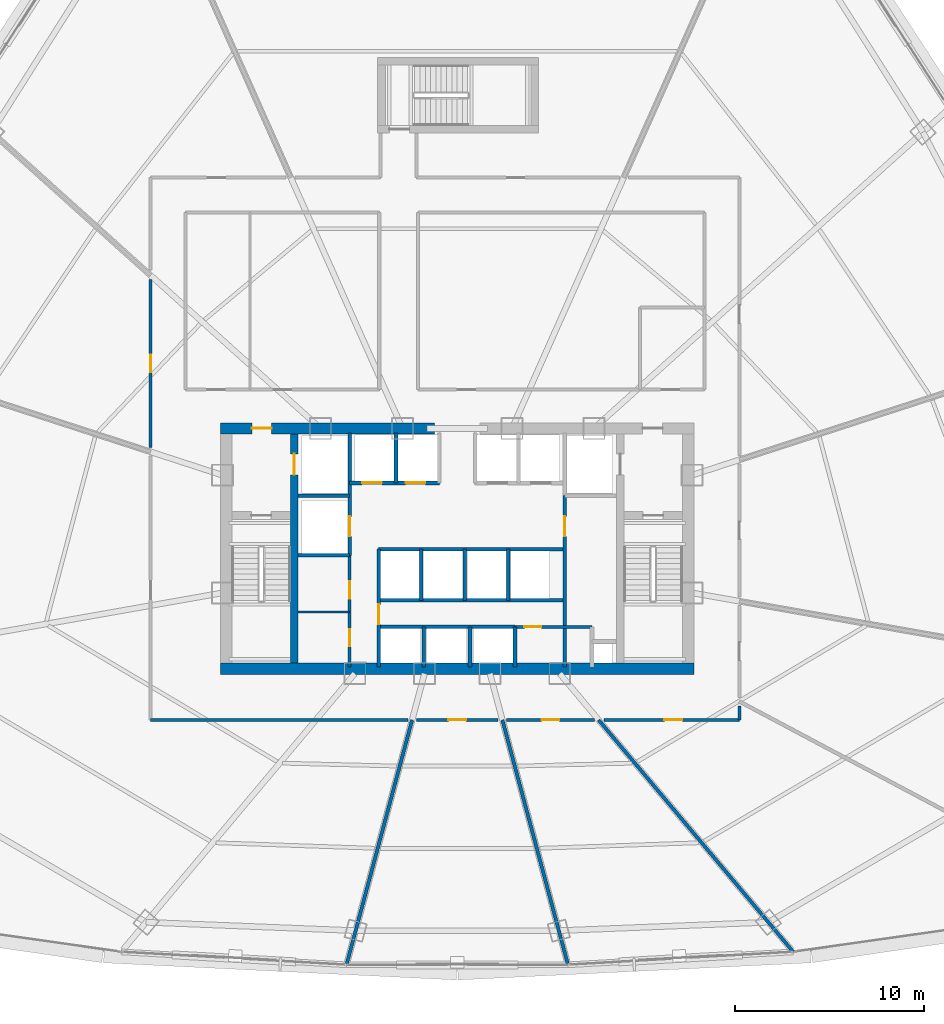
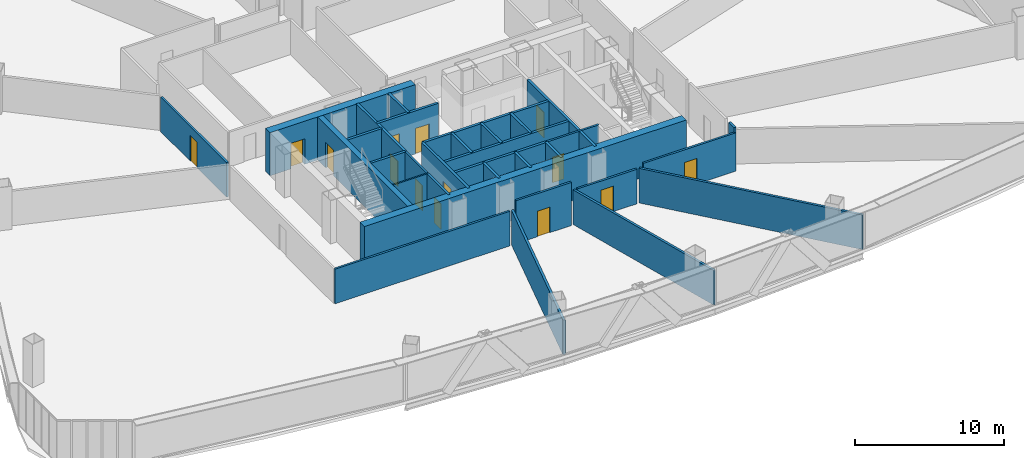
# One storey, part 32 of 39: 31 walls, 14 doors, 14 openings.
"""IFC4 building model written with IfcOpenShell, lengths in metres."""

from ifc_helpers import new_model, si_unit, direction, frame, frame_2d, origin, origin_with_axes, place, context, subcontext, project, spatial, rectangle, extrude, source, transform, mapped, material, layer, layer_set, type_object, element, fill, save


model = new_model("IFC4")

# Units and contexts
model_context = context("Model", 3, precision=1e-05, world=origin(), true_north=direction((0.0, 1.0)))
body_context = subcontext(model_context, "Body", "Model", "MODEL_VIEW")
ifc_project = project(units=[si_unit("LENGTHUNIT", "METRE"), si_unit("AREAUNIT", "SQUARE_METRE"), si_unit("VOLUMEUNIT", "CUBIC_METRE"), si_unit("PLANEANGLEUNIT", "RADIAN"), si_unit("MASSUNIT", "GRAM", prefix="KILO"), si_unit("THERMODYNAMICTEMPERATUREUNIT", "KELVIN"), si_unit("POWERUNIT", "WATT")], contexts=[model_context])

# Site, building, storey
site_placement = place(None, origin())
site = spatial("IfcSite", under=ifc_project, at=site_placement, CompositionType="ELEMENT")
building_placement = place(site_placement, origin())
building = spatial("IfcBuilding", under=site, at=building_placement, Name="Yunzhuo Pagoda Commons", CompositionType="ELEMENT")
storey_placement = place(building_placement, frame((0.0, 0.0, 100.179931640625)))
storey = spatial("IfcBuildingStorey", under=building, at=storey_placement, Name="L25", CompositionType="ELEMENT", Elevation=100.179931640625)

# Wall
ifc_material_1 = material(Name="Concrete C60", Category="concrete")
ifc_layer_1 = layer(ifc_material_1, 0.60009765625)
ifc_layer_set_1 = layer_set([ifc_layer_1], Name="Concrete C60")
wall_type_1 = type_object("IfcWallType", Name="W-C02 Mid Core Shear Wall 600", PredefinedType="SHEAR", material=ifc_layer_set_1)
wall_1_placement = place(storey_placement, frame((35.5, 27.5, 0.0), z_axis=(0.0, 0.0, 1.0), x_axis=(1.0, 0.0, 0.0)))
element("IfcWall", 1, at=wall_1_placement, inside=storey, type_object=wall_type_1, Name="L25 core shear wall S", PredefinedType="SHEAR", context=body_context, shape_type="SweptSolid", body=[
    extrude(rectangle(XDim=25.0, YDim=0.60009765625, at=frame_2d((12.5, 0.0))), origin(), (0.0, 0.0, 1.0), 3.5400390625),
])

# Wall, opening, door
wall_2_placement = place(storey_placement, frame((35.5, 40.199951171875, 0.0), z_axis=(0.0, 0.0, 1.0), x_axis=(1.0, 0.0, 0.0)))
wall_2 = element("IfcWall", 2, at=wall_2_placement, inside=storey, type_object=wall_type_1, Name="L25 core shear wall NW", PredefinedType="SHEAR", context=body_context, shape_type="SweptSolid", body=[
    extrude(rectangle(XDim=11.300048828125, YDim=0.60009765625, at=frame_2d((5.64990234375, 0.0))), origin(), (0.0, 0.0, 1.0), 3.5400390625),
])
opening_1_placement = place(wall_2_placement, frame((1.64990234375, 0.0, 0.0)))
opening_1 = element("IfcOpeningElement", 3, at=opening_1_placement, cuts=wall_2, Name="Opening D-02", PredefinedType="OPENING", context=body_context, shape_type="SweptSolid", body=[
    extrude(rectangle(XDim=1.050048828125, YDim=2.10009765625, at=frame_2d((0.52490234375, 1.050048828125))), frame((0.0, 0.31005859375, 0.0), z_axis=(0.0, -1.0, 0.0), x_axis=(1.0, 0.0, 0.0)), (0.0, 0.0, 1.0), 0.6201171875),
])
ifc_material_2 = material(Name="Galvanized fire-resisting metal leaf")
door_type_1 = type_object("IfcDoorType", Name="D-02 Firefighting Lobby & Refuge Fire Door 1050x2100", OperationType="NOTDEFINED", PredefinedType="DOOR", material=ifc_material_2)
shared_shape_1 = source(origin(), body_context, "Body", "SweptSolid", [
    extrude(rectangle(XDim=1.050048828125, YDim=2.10009765625, at=frame_2d((0.52490234375, 1.050048828125))), frame((0.0, 0.02490234375, 0.0), z_axis=(0.0, -1.0, 0.0), x_axis=(1.0, 0.0, 0.0)), (0.0, 0.0, 1.0), 0.050048828125),
])
door_1_placement = place(opening_1_placement, frame((1.050048828125, 0.0, 0.0), z_axis=(0.0, 0.0, 1.0), x_axis=(-1.0, 0.0, 0.0)))
door_1 = element("IfcDoor", 4, at=door_1_placement, inside=storey, type_object=door_type_1, Name="L25 Firefighting Lobby 1 fire door", OperationType="SINGLE_SWING_LEFT", OverallHeight=2.10009765625, OverallWidth=1.050048828125, PredefinedType="DOOR", context=body_context, shape_type="MappedRepresentation", body=[
    mapped(shared_shape_1, transform((0.0, 0.0, 0.0), scale=1.0)),
])
fill(opening_1, door_1)

# Wall, openings, doors
ifc_material_3 = material(Name="Gypsum plasterboard on acoustic stud")
ifc_layer_2 = layer(ifc_material_3, 0.159912109375)
ifc_layer_set_2 = layer_set([ifc_layer_2], Name="Gypsum plasterboard on acoustic stud")
wall_type_2 = type_object("IfcWallType", Name="W-COR1 Tower Rated Corridor Wall 160", PredefinedType="PARTITIONING", material=ifc_layer_set_2)
wall_3_placement = place(storey_placement, frame((42.320068359375, 27.60009765625, 0.0), z_axis=(0.0, 0.0, 1.0), x_axis=(0.0, 1.0, 0.0)))
wall_3 = element("IfcWall", 5, at=wall_3_placement, inside=storey, type_object=wall_type_2, Name="L25 interior wall IW-L25-CSWE", PredefinedType="PARTITIONING", context=body_context, shape_type="SweptSolid", body=[
    extrude(rectangle(XDim=5.89990234375, YDim=0.159912109375, at=frame_2d((2.949951171875, 0.0))), origin(), (0.0, 0.0, 1.0), 3.5400390625),
])
opening_2_placement = place(wall_3_placement, frame((1.10009765625, 0.0, 0.0)))
opening_2 = element("IfcOpeningElement", 6, at=opening_2_placement, cuts=wall_3, Name="Opening D-03", PredefinedType="OPENING", context=body_context, shape_type="SweptSolid", body=[
    extrude(rectangle(XDim=0.89990234375, YDim=2.10009765625, at=frame_2d((0.449951171875, 1.050048828125))), frame((0.0, 0.08984375, 0.0), z_axis=(0.0, -1.0, 0.0), x_axis=(1.0, 0.0, 0.0)), (0.0, 0.0, 1.0), 0.179931640625),
])
opening_3_placement = place(wall_3_placement, frame((3.60009765625, 0.0, 0.0)))
opening_3 = element("IfcOpeningElement", 7, at=opening_3_placement, cuts=wall_3, Name="Opening D-11", PredefinedType="OPENING", context=body_context, shape_type="SweptSolid", body=[
    extrude(rectangle(XDim=0.93994140625, YDim=2.10009765625, at=frame_2d((0.469970703125, 1.050048828125))), frame((0.0, 0.08984375, 0.0), z_axis=(0.0, -1.0, 0.0), x_axis=(1.0, 0.0, 0.0)), (0.0, 0.0, 1.0), 0.179931640625),
])
door_type_2 = type_object("IfcDoorType", Name="D-03 Core Service Fire Door 900x2100", OperationType="NOTDEFINED", PredefinedType="DOOR", material=ifc_material_2)
shared_shape_2 = source(origin(), body_context, "Body", "SweptSolid", [
    extrude(rectangle(XDim=0.89990234375, YDim=2.10009765625, at=frame_2d((0.449951171875, 1.050048828125))), frame((0.0, 0.02490234375, 0.0), z_axis=(0.0, -1.0, 0.0), x_axis=(1.0, 0.0, 0.0)), (0.0, 0.0, 1.0), 0.050048828125),
])
door_2_placement = place(opening_2_placement, origin_with_axes())
door_2 = element("IfcDoor", 8, at=door_2_placement, inside=storey, type_object=door_type_2, Name="L25 housekeeping door", OperationType="SINGLE_SWING_RIGHT", OverallHeight=2.10009765625, OverallWidth=0.89990234375, PredefinedType="DOOR", context=body_context, shape_type="MappedRepresentation", body=[
    mapped(shared_shape_2, transform((0.0, 0.0, 0.0), scale=1.0)),
])
fill(opening_2, door_2)
door_type_3 = type_object("IfcDoorType", Name="D-11 Accessible Washroom Fire Door 940x2100", OperationType="NOTDEFINED", PredefinedType="DOOR", material=ifc_material_2)
shared_shape_3 = source(origin(), body_context, "Body", "SweptSolid", [
    extrude(rectangle(XDim=0.93994140625, YDim=2.10009765625, at=frame_2d((0.469970703125, 1.050048828125))), frame((0.0, 0.02490234375, 0.0), z_axis=(0.0, -1.0, 0.0), x_axis=(1.0, 0.0, 0.0)), (0.0, 0.0, 1.0), 0.050048828125),
])
door_3_placement = place(opening_3_placement, origin_with_axes())
door_3 = element("IfcDoor", 9, at=door_3_placement, inside=storey, type_object=door_type_3, Name="L25 core WC door", OperationType="SINGLE_SWING_RIGHT", OverallHeight=2.10009765625, OverallWidth=0.93994140625, PredefinedType="DOOR", context=body_context, shape_type="MappedRepresentation", body=[
    mapped(shared_shape_3, transform((0.0, 0.0, 0.0), scale=1.0)),
])
fill(opening_3, door_3)

# Wall, opening, door
wall_4_placement = place(storey_placement, frame((51.050048828125, 29.719970703125, 0.0), z_axis=(0.0, 0.0, 1.0), x_axis=(1.0, 0.0, 0.0)))
wall_4 = element("IfcWall", 10, at=wall_4_placement, inside=storey, type_object=wall_type_2, Name="L25 interior wall IW-L25-CSES", PredefinedType="PARTITIONING", context=body_context, shape_type="SweptSolid", body=[
    extrude(rectangle(XDim=4.070068359375, YDim=0.159912109375, at=frame_2d((2.03515625, 0.0))), origin(), (0.0, 0.0, 1.0), 3.5400390625),
])
opening_4_placement = place(wall_4_placement, frame((0.5, 0.0, 0.0)))
opening_4 = element("IfcOpeningElement", 11, at=opening_4_placement, cuts=wall_4, Name="Opening D-03", PredefinedType="OPENING", context=body_context, shape_type="SweptSolid", body=[
    extrude(rectangle(XDim=0.89990234375, YDim=2.10009765625, at=frame_2d((0.449951171875, 1.050048828125))), frame((0.0, 0.08984375, 0.0), z_axis=(0.0, -1.0, 0.0), x_axis=(1.0, 0.0, 0.0)), (0.0, 0.0, 1.0), 0.179931640625),
])
door_4_placement = place(opening_4_placement, origin_with_axes())
door_4 = element("IfcDoor", 12, at=door_4_placement, inside=storey, type_object=door_type_2, Name="L25 IT closet door", OperationType="SINGLE_SWING_LEFT", OverallHeight=2.10009765625, OverallWidth=0.89990234375, PredefinedType="DOOR", context=body_context, shape_type="MappedRepresentation", body=[
    mapped(shared_shape_2, transform((0.0, 0.0, 0.0), scale=1.0)),
])
fill(opening_4, door_4)

wall_5_placement = place(storey_placement, frame((31.800048828125, 39.195068359375, 0.0), z_axis=(0.0, 0.0, 1.0), x_axis=(0.0, 1.0, 0.0)))
wall_5 = element("IfcWall", 13, at=wall_5_placement, inside=storey, type_object=wall_type_2, Name="L25 interior wall IW-L25-CWL02", PredefinedType="PARTITIONING", context=body_context, shape_type="SweptSolid", body=[
    extrude(rectangle(XDim=8.871826171875, YDim=0.159912109375, at=frame_2d((4.43603515625, 0.0))), origin(), (0.0, 0.0, 1.0), 2.840087890625),
])
opening_5_placement = place(wall_5_placement, frame((3.97021484375, 0.0, 0.0)))
opening_5 = element("IfcOpeningElement", 14, at=opening_5_placement, cuts=wall_5, Name="Opening D-04", PredefinedType="OPENING", context=body_context, shape_type="SweptSolid", body=[
    extrude(rectangle(XDim=0.919921875, YDim=2.10009765625, at=frame_2d((0.4599609375, 1.050048828125))), frame((0.0, 0.08984375, 0.0), z_axis=(0.0, -1.0, 0.0), x_axis=(1.0, 0.0, 0.0)), (0.0, 0.0, 1.0), 0.179931640625),
])
ifc_material_4 = material(Name="Powder-coated aluminium and timber acoustic leaf", Category="wood")
door_type_4 = type_object("IfcDoorType", Name="D-04 Bedroom & Study Interior Door 920x2100", OperationType="NOTDEFINED", PredefinedType="DOOR", material=ifc_material_4)
shared_shape_4 = source(origin(), body_context, "Body", "SweptSolid", [
    extrude(rectangle(XDim=0.919921875, YDim=2.10009765625, at=frame_2d((0.4599609375, 1.050048828125))), frame((0.0, 0.02490234375, 0.0), z_axis=(0.0, -1.0, 0.0), x_axis=(1.0, 0.0, 0.0)), (0.0, 0.0, 1.0), 0.050048828125),
])
door_5_placement = place(opening_5_placement, origin_with_axes())
door_5 = element("IfcDoor", 15, at=door_5_placement, inside=storey, type_object=door_type_4, Name="L25 seminar room 05 door", OperationType="SINGLE_SWING_RIGHT", OverallHeight=2.10009765625, OverallWidth=0.919921875, PredefinedType="DOOR", context=body_context, shape_type="MappedRepresentation", body=[
    mapped(shared_shape_4, transform((0.0, 0.0, 0.0), scale=1.0)),
])
fill(opening_5, door_5)

# Wall
wall_6_placement = place(storey_placement, frame((62.89990234375, 25.5283203125, 0.0), z_axis=(0.0, 0.0, 1.0), x_axis=(0.0, -1.0, 0.0)))
element("IfcWall", 16, at=wall_6_placement, inside=storey, type_object=wall_type_2, Name="L25 interior wall IW-L25-CWL13", PredefinedType="PARTITIONING", context=body_context, shape_type="SweptSolid", body=[
    extrude(rectangle(XDim=0.728271484375, YDim=0.159912109375, at=frame_2d((0.3642578125, 0.0))), origin(), (0.0, 0.0, 1.0), 3.5400390625),
])

# Wall, opening, door
wall_7_placement = place(storey_placement, frame((62.89990234375, 24.800048828125, 0.0), z_axis=(0.0, 0.0, 1.0), x_axis=(-1.0, 0.0, 0.0)))
wall_7 = element("IfcWall", 17, at=wall_7_placement, inside=storey, type_object=wall_type_2, Name="L25 interior wall IW-L25-CWL14", PredefinedType="PARTITIONING", context=body_context, shape_type="SweptSolid", body=[
    extrude(rectangle(XDim=7.144775390625, YDim=0.159912109375, at=frame_2d((3.572265625, 0.0))), origin(), (0.0, 0.0, 1.0), 3.14013671875),
])
opening_6_placement = place(wall_7_placement, frame((3.010986328125, 0.0, 0.0)))
opening_6 = element("IfcOpeningElement", 18, at=opening_6_placement, cuts=wall_7, Name="Opening D-06", PredefinedType="OPENING", context=body_context, shape_type="SweptSolid", body=[
    extrude(rectangle(XDim=0.949951171875, YDim=2.10009765625, at=frame_2d((0.47509765625, 1.050048828125))), frame((0.0, 0.08984375, 0.0), z_axis=(0.0, -1.0, 0.0), x_axis=(1.0, 0.0, 0.0)), (0.0, 0.0, 1.0), 0.179931640625),
])
door_type_5 = type_object("IfcDoorType", Name="D-06 Co-Living Suite Entrance Fire Door 950x2100", OperationType="NOTDEFINED", PredefinedType="DOOR", material=ifc_material_2)
shared_shape_5 = source(origin(), body_context, "Body", "SweptSolid", [
    extrude(rectangle(XDim=0.949951171875, YDim=2.10009765625, at=frame_2d((0.47509765625, 1.050048828125))), frame((0.0, 0.02490234375, 0.0), z_axis=(0.0, -1.0, 0.0), x_axis=(1.0, 0.0, 0.0)), (0.0, 0.0, 1.0), 0.050048828125),
])
door_6_placement = place(opening_6_placement, origin_with_axes())
door_6 = element("IfcDoor", 19, at=door_6_placement, inside=storey, type_object=door_type_5, Name="L25 unit 09 entrance door", OperationType="SINGLE_SWING_RIGHT", OverallHeight=2.10009765625, OverallWidth=0.949951171875, PredefinedType="DOOR", context=body_context, shape_type="MappedRepresentation", body=[
    mapped(shared_shape_5, transform((0.0, 0.0, 0.0), scale=1.0)),
])
fill(opening_6, door_6)

wall_8_placement = place(storey_placement, frame((55.248046875, 24.800048828125, 0.0), z_axis=(0.0, 0.0, 1.0), x_axis=(-1.0, 0.0, 0.0)))
wall_8 = element("IfcWall", 20, at=wall_8_placement, inside=storey, type_object=wall_type_2, Name="L25 interior wall IW-L25-CWL15", PredefinedType="PARTITIONING", context=body_context, shape_type="SweptSolid", body=[
    extrude(rectangle(XDim=4.635498046875, YDim=0.159912109375, at=frame_2d((2.31787109375, 0.0))), origin(), (0.0, 0.0, 1.0), 2.840087890625),
])
opening_7_placement = place(wall_8_placement, frame((1.8466796875, 0.0, 0.0)))
opening_7 = element("IfcOpeningElement", 21, at=opening_7_placement, cuts=wall_8, Name="Opening D-06", PredefinedType="OPENING", context=body_context, shape_type="SweptSolid", body=[
    extrude(rectangle(XDim=0.949951171875, YDim=2.10009765625, at=frame_2d((0.47509765625, 1.050048828125))), frame((0.0, 0.08984375, 0.0), z_axis=(0.0, -1.0, 0.0), x_axis=(1.0, 0.0, 0.0)), (0.0, 0.0, 1.0), 0.179931640625),
])
door_7_placement = place(opening_7_placement, origin_with_axes())
door_7 = element("IfcDoor", 22, at=door_7_placement, inside=storey, type_object=door_type_5, Name="L25 unit 08 entrance door", OperationType="SINGLE_SWING_LEFT", OverallHeight=2.10009765625, OverallWidth=0.949951171875, PredefinedType="DOOR", context=body_context, shape_type="MappedRepresentation", body=[
    mapped(shared_shape_5, transform((0.0, 0.0, 0.0), scale=1.0)),
])
fill(opening_7, door_7)

wall_9_placement = place(storey_placement, frame((50.164794921875, 24.800048828125, 0.0), z_axis=(0.0, 0.0, 1.0), x_axis=(-1.0, 0.0, 0.0)))
wall_9 = element("IfcWall", 23, at=wall_9_placement, inside=storey, type_object=wall_type_2, Name="L25 interior wall IW-L25-CWL16", PredefinedType="PARTITIONING", context=body_context, shape_type="SweptSolid", body=[
    extrude(rectangle(XDim=4.32958984375, YDim=0.159912109375, at=frame_2d((2.164794921875, 0.0))), origin(), (0.0, 0.0, 1.0), 3.5400390625),
])
opening_8_placement = place(wall_9_placement, frame((1.68994140625, 0.0, 0.0)))
opening_8 = element("IfcOpeningElement", 24, at=opening_8_placement, cuts=wall_9, Name="Opening D-06", PredefinedType="OPENING", context=body_context, shape_type="SweptSolid", body=[
    extrude(rectangle(XDim=0.949951171875, YDim=2.10009765625, at=frame_2d((0.47509765625, 1.050048828125))), frame((0.0, 0.08984375, 0.0), z_axis=(0.0, -1.0, 0.0), x_axis=(1.0, 0.0, 0.0)), (0.0, 0.0, 1.0), 0.179931640625),
])
door_8_placement = place(opening_8_placement, origin_with_axes())
door_8 = element("IfcDoor", 25, at=door_8_placement, inside=storey, type_object=door_type_5, Name="L25 unit 07 entrance door", OperationType="SINGLE_SWING_RIGHT", OverallHeight=2.10009765625, OverallWidth=0.949951171875, PredefinedType="DOOR", context=body_context, shape_type="MappedRepresentation", body=[
    mapped(shared_shape_5, transform((0.0, 0.0, 0.0), scale=1.0)),
])
fill(opening_8, door_8)

# Walls
wall_10_placement = place(storey_placement, frame((45.387451171875, 24.800048828125, 0.0), z_axis=(0.0, 0.0, 1.0), x_axis=(-1.0, 0.0, 0.0)))
element("IfcWall", 26, at=wall_10_placement, inside=storey, type_object=wall_type_2, Name="L25 interior wall IW-L25-CWL17", PredefinedType="PARTITIONING", context=body_context, shape_type="SweptSolid", body=[
    extrude(rectangle(XDim=13.58740234375, YDim=0.159912109375, at=frame_2d((6.793701171875, 0.0))), origin(), (0.0, 0.0, 1.0), 2.840087890625),
])
ifc_layer_3 = layer(ifc_material_3, 0.1201171875)
ifc_layer_set_3 = layer_set([ifc_layer_3], Name="Gypsum plasterboard on acoustic stud")
wall_type_3 = type_object("IfcWallType", Name="W-PRT1 Suite & Bathroom Partition 120", PredefinedType="PARTITIONING", material=ifc_layer_set_3)
wall_11_placement = place(storey_placement, frame((39.60009765625, 30.5, 0.0), z_axis=(0.0, 0.0, 1.0), x_axis=(1.0, 0.0, 0.0)))
element("IfcWall", 27, at=wall_11_placement, inside=storey, type_object=wall_type_3, Name="L25 interior wall IW-L25-CB1", PredefinedType="PARTITIONING", context=body_context, shape_type="SweptSolid", body=[
    extrude(rectangle(XDim=2.719970703125, YDim=0.1201171875, at=frame_2d((1.35986328125, 0.0))), origin(), (0.0, 0.0, 1.0), 3.5400390625),
])
ifc_layer_4 = layer(ifc_material_3, 0.179931640625)
ifc_layer_set_4 = layer_set([ifc_layer_4], Name="Gypsum plasterboard on acoustic stud")
wall_type_4 = type_object("IfcWallType", Name="W-PRT2 Acoustic Unit Demising Wall 180", PredefinedType="PARTITIONING", material=ifc_layer_set_4)
for number, where, z_axis, x_axis, name in (
    (28, (45.615234375, 24.800048828125, 0.0), (0.0, 0.0, 1.0), (-0.258814147169, -0.965927138673, 0.0), "L25 interior wall IW-L25-RAD06"),
    (29, (50.384765625, 24.800048828125, 0.0), (0.0, 0.0, 1.0), (0.258814147169, -0.965927138673, 0.0), "L25 interior wall IW-L25-RAD07"),
):
    element("IfcWall", number, at=place(storey_placement, frame(where, z_axis=z_axis, x_axis=x_axis)), inside=storey, type_object=wall_type_4, Name=name, PredefinedType="PARTITIONING", context=body_context, shape_type="SweptSolid", body=[
        extrude(rectangle(XDim=13.39208984375, YDim=0.179931640625, at=frame_2d((6.696044921875, 0.0))), origin(), (0.0, 0.0, 1.0), 2.840087890625),
    ])
wall_12_placement = place(storey_placement, frame((55.468017578125, 24.800048828125, 0.0), z_axis=(0.0, 0.0, 1.0), x_axis=(0.642790007557, -0.766042431061, 0.0)))
element("IfcWall", 30, at=wall_12_placement, inside=storey, type_object=wall_type_4, Name="L25 interior wall IW-L25-RAD08", PredefinedType="PARTITIONING", context=body_context, shape_type="SweptSolid", body=[
    extrude(rectangle(XDim=15.9951171875, YDim=0.179931640625, at=frame_2d((7.99755859375, 0.0))), origin(), (0.0, 0.0, 1.0), 2.840087890625),
])

# Wall, opening, door
ifc_layer_5 = layer(ifc_material_1, 0.39990234375)
ifc_layer_set_5 = layer_set([ifc_layer_5], Name="Concrete C60")
wall_type_5 = type_object("IfcWallType", Name="W-S01 Internal Core Shear Web 400", PredefinedType="SHEAR", material=ifc_layer_set_5)
wall_13_placement = place(storey_placement, frame((39.39990234375, 27.800048828125, 0.0), z_axis=(0.0, 0.0, 1.0), x_axis=(0.0, 1.0, 0.0)))
wall_13 = element("IfcWall", 31, at=wall_13_placement, inside=storey, type_object=wall_type_5, Name="L25 core shear wall WEBW", PredefinedType="SHEAR", context=body_context, shape_type="SweptSolid", body=[
    extrude(rectangle(XDim=12.099853515625, YDim=0.39990234375, at=frame_2d((6.0498046875, 0.0))), origin(), (0.0, 0.0, 1.0), 3.5400390625),
])
opening_9_placement = place(wall_13_placement, frame((9.949951171875, 0.0, 0.0)))
opening_9 = element("IfcOpeningElement", 32, at=opening_9_placement, cuts=wall_13, Name="Opening LD-01", PredefinedType="OPENING", context=body_context, shape_type="SweptSolid", body=[
    extrude(rectangle(XDim=1.10009765625, YDim=2.10009765625, at=frame_2d((0.550048828125, 1.050048828125))), frame((0.0, 0.2099609375, 0.0), z_axis=(0.0, -1.0, 0.0), x_axis=(1.0, 0.0, 0.0)), (0.0, 0.0, 1.0), 0.419921875),
])
door_type_6 = type_object("IfcDoorType", Name="LD-01 Firefighting Lift Landing Door 1100x2100", OperationType="DOUBLE_DOOR_SLIDING", PredefinedType="DOOR", material=ifc_material_2)
shared_shape_6 = source(origin(), body_context, "Body", "SweptSolid", [
    extrude(rectangle(XDim=1.10009765625, YDim=2.10009765625, at=frame_2d((0.550048828125, 1.050048828125))), frame((0.0, 0.02490234375, 0.0), z_axis=(0.0, -1.0, 0.0), x_axis=(1.0, 0.0, 0.0)), (0.0, 0.0, 1.0), 0.050048828125),
])
door_9_placement = place(opening_9_placement, frame((1.10009765625, 0.0, 0.0), z_axis=(0.0, 0.0, 1.0), x_axis=(-1.0, 0.0, 0.0)))
door_9 = element("IfcDoor", 33, at=door_9_placement, inside=storey, type_object=door_type_6, Name="L25 Firefighting lift FL-1 landing door", OperationType="DOUBLE_DOOR_SLIDING", OverallHeight=2.10009765625, OverallWidth=1.10009765625, PredefinedType="DOOR", context=body_context, shape_type="MappedRepresentation", body=[
    mapped(shared_shape_6, transform((0.0, 0.0, 0.0), scale=1.0)),
])
fill(opening_9, door_9)

ifc_material_5 = material(Name="Concrete C40", Category="concrete")
ifc_layer_6 = layer(ifc_material_5, 0.199951171875)
ifc_layer_set_6 = layer_set([ifc_layer_6], Name="Concrete C40")
wall_type_6 = type_object("IfcWallType", Name="W-SHF Shaft & Stair Enclosure Wall 200", PredefinedType="SOLIDWALL", material=ifc_layer_set_6)
wall_14_placement = place(storey_placement, frame((42.320068359375, 33.5, 0.0), z_axis=(0.0, 0.0, 1.0), x_axis=(0.0, 1.0, 0.0)))
wall_14 = element("IfcWall", 34, at=wall_14_placement, inside=storey, type_object=wall_type_6, Name="L25 interior wall IW-L25-FL1E", PredefinedType="SOLIDWALL", context=body_context, shape_type="SweptSolid", body=[
    extrude(rectangle(XDim=6.449951171875, YDim=0.199951171875, at=frame_2d((3.22509765625, 0.0))), origin(), (0.0, 0.0, 1.0), 3.5400390625),
])
opening_10_placement = place(wall_14_placement, frame((1.0, 0.0, 0.0)))
opening_10 = element("IfcOpeningElement", 35, at=opening_10_placement, cuts=wall_14, Name="Opening LD-02", PredefinedType="OPENING", context=body_context, shape_type="SweptSolid", body=[
    extrude(rectangle(XDim=1.050048828125, YDim=2.10009765625, at=frame_2d((0.52490234375, 1.050048828125))), frame((0.0, 0.10986328125, 0.0), z_axis=(0.0, -1.0, 0.0), x_axis=(1.0, 0.0, 0.0)), (0.0, 0.0, 1.0), 0.219970703125),
])
door_type_7 = type_object("IfcDoorType", Name="LD-02 Passenger Lift Landing Door 1050x2100", OperationType="DOUBLE_DOOR_SLIDING", PredefinedType="DOOR", material=ifc_material_2)
door_10_placement = place(opening_10_placement, origin_with_axes())
door_10 = element("IfcDoor", 36, at=door_10_placement, inside=storey, type_object=door_type_7, Name="L25 Service lift SL-1 landing door", OperationType="DOUBLE_DOOR_SLIDING", OverallHeight=2.10009765625, OverallWidth=1.050048828125, PredefinedType="DOOR", context=body_context, shape_type="MappedRepresentation", body=[
    mapped(shared_shape_1, transform((0.0, 0.0, 0.0), scale=1.0)),
])
fill(opening_10, door_10)

# Walls
for number, where, z_axis, x_axis, name in (
    (37, (39.60009765625, 36.64990234375, 0.0), (0.0, 0.0, 1.0), (1.0, 0.0, 0.0), "L25 interior wall IW-L25-FL1S"),
    (38, (39.60009765625, 33.5, 0.0), (0.0, 0.0, 1.0), (1.0, 0.0, 0.0), "L25 interior wall IW-L25-SL1S"),
):
    element("IfcWall", number, at=place(storey_placement, frame(where, z_axis=z_axis, x_axis=x_axis)), inside=storey, type_object=wall_type_6, Name=name, PredefinedType="SOLIDWALL", context=body_context, shape_type="SweptSolid", body=[
        extrude(rectangle(XDim=2.719970703125, YDim=0.199951171875, at=frame_2d((1.35986328125, 0.0))), origin(), (0.0, 0.0, 1.0), 3.5400390625),
    ])

# Wall, openings, doors
wall_15_placement = place(storey_placement, frame((42.320068359375, 37.320068359375, 0.0), z_axis=(0.0, 0.0, 1.0), x_axis=(1.0, 0.0, 0.0)))
wall_15 = element("IfcWall", 39, at=wall_15_placement, inside=storey, type_object=wall_type_6, Name="L25 interior wall IW-L25-LBNW", PredefinedType="SOLIDWALL", context=body_context, shape_type="SweptSolid", body=[
    extrude(rectangle(XDim=4.72998046875, YDim=0.199951171875, at=frame_2d((2.364990234375, 0.0))), origin(), (0.0, 0.0, 1.0), 3.5400390625),
])
opening_11_placement = place(wall_15_placement, frame((0.64990234375, 0.0, 0.0)))
opening_11 = element("IfcOpeningElement", 40, at=opening_11_placement, cuts=wall_15, Name="Opening LD-02", PredefinedType="OPENING", context=body_context, shape_type="SweptSolid", body=[
    extrude(rectangle(XDim=1.050048828125, YDim=2.10009765625, at=frame_2d((0.52490234375, 1.050048828125))), frame((0.0, 0.10986328125, 0.0), z_axis=(0.0, -1.0, 0.0), x_axis=(1.0, 0.0, 0.0)), (0.0, 0.0, 1.0), 0.219970703125),
])
opening_12_placement = place(wall_15_placement, frame((2.949951171875, 0.0, 0.0)))
opening_12 = element("IfcOpeningElement", 41, at=opening_12_placement, cuts=wall_15, Name="Opening LD-02", PredefinedType="OPENING", context=body_context, shape_type="SweptSolid", body=[
    extrude(rectangle(XDim=1.050048828125, YDim=2.10009765625, at=frame_2d((0.52490234375, 1.050048828125))), frame((0.0, 0.10986328125, 0.0), z_axis=(0.0, -1.0, 0.0), x_axis=(1.0, 0.0, 0.0)), (0.0, 0.0, 1.0), 0.219970703125),
])
door_11_placement = place(opening_11_placement, frame((1.050048828125, 0.0, 0.0), z_axis=(0.0, 0.0, 1.0), x_axis=(-1.0, 0.0, 0.0)))
door_11 = element("IfcDoor", 42, at=door_11_placement, inside=storey, type_object=door_type_7, Name="L25 Passenger lift PL-L1 landing door", OperationType="DOUBLE_DOOR_SLIDING", OverallHeight=2.10009765625, OverallWidth=1.050048828125, PredefinedType="DOOR", context=body_context, shape_type="MappedRepresentation", body=[
    mapped(shared_shape_1, transform((0.0, 0.0, 0.0), scale=1.0)),
])
fill(opening_11, door_11)
door_12_placement = place(opening_12_placement, frame((1.050048828125, 0.0, 0.0), z_axis=(0.0, 0.0, 1.0), x_axis=(-1.0, 0.0, 0.0)))
door_12 = element("IfcDoor", 43, at=door_12_placement, inside=storey, type_object=door_type_7, Name="L25 Passenger lift PL-L2 landing door", OperationType="DOUBLE_DOOR_SLIDING", OverallHeight=2.10009765625, OverallWidth=1.050048828125, PredefinedType="DOOR", context=body_context, shape_type="MappedRepresentation", body=[
    mapped(shared_shape_1, transform((0.0, 0.0, 0.0), scale=1.0)),
])
fill(opening_12, door_12)

# Walls
wall_16_placement = place(storey_placement, frame((44.77001953125, 37.320068359375, 0.0), z_axis=(0.0, 0.0, 1.0), x_axis=(0.0, 1.0, 0.0)))
element("IfcWall", 44, at=wall_16_placement, inside=storey, type_object=wall_type_6, Name="L25 interior wall IW-L25-PLL12", PredefinedType="SOLIDWALL", context=body_context, shape_type="SweptSolid", body=[
    extrude(rectangle(XDim=2.6298828125, YDim=0.199951171875, at=frame_2d((1.31494140625, 0.0))), origin(), (0.0, 0.0, 1.0), 3.5400390625),
])
wall_17_placement = place(storey_placement, frame((43.85009765625, 33.820068359375, 0.0), z_axis=(0.0, 0.0, 1.0), x_axis=(1.0, 0.0, 0.0)))
element("IfcWall", 45, at=wall_17_placement, inside=storey, type_object=wall_type_6, Name="L25 interior wall IW-L25-MLBS", PredefinedType="SOLIDWALL", context=body_context, shape_type="SweptSolid", body=[
    extrude(rectangle(XDim=9.829833984375, YDim=0.199951171875, at=frame_2d((4.9150390625, 0.0))), origin(), (0.0, 0.0, 1.0), 3.5400390625),
])

# Wall, opening, door
wall_18_placement = place(storey_placement, frame((43.85009765625, 27.60009765625, 0.0), z_axis=(0.0, 0.0, 1.0), x_axis=(0.0, 1.0, 0.0)))
wall_18 = element("IfcWall", 46, at=wall_18_placement, inside=storey, type_object=wall_type_6, Name="L25 interior wall IW-L25-PLMW", PredefinedType="SOLIDWALL", context=body_context, shape_type="SweptSolid", body=[
    extrude(rectangle(XDim=6.219970703125, YDim=0.199951171875, at=frame_2d((3.10986328125, 0.0))), origin(), (0.0, 0.0, 1.0), 3.5400390625),
])
opening_13_placement = place(wall_18_placement, frame((2.25, 0.0, 0.0)))
opening_13 = element("IfcOpeningElement", 47, at=opening_13_placement, cuts=wall_18, Name="Opening D-02", PredefinedType="OPENING", context=body_context, shape_type="SweptSolid", body=[
    extrude(rectangle(XDim=1.050048828125, YDim=2.10009765625, at=frame_2d((0.52490234375, 1.050048828125))), frame((0.0, 0.10986328125, 0.0), z_axis=(0.0, -1.0, 0.0), x_axis=(1.0, 0.0, 0.0)), (0.0, 0.0, 1.0), 0.219970703125),
])
door_13_placement = place(opening_13_placement, frame((1.050048828125, 0.0, 0.0), z_axis=(0.0, 0.0, 1.0), x_axis=(-1.0, 0.0, 0.0)))
door_13 = element("IfcDoor", 48, at=door_13_placement, inside=storey, type_object=door_type_1, Name="L25 High-bank hall west door", OperationType="SINGLE_SWING_LEFT", OverallHeight=2.10009765625, OverallWidth=1.050048828125, PredefinedType="DOOR", context=body_context, shape_type="MappedRepresentation", body=[
    mapped(shared_shape_1, transform((0.0, 0.0, 0.0), scale=1.0)),
])
fill(opening_13, door_13)

wall_19_placement = place(storey_placement, frame((53.679931640625, 27.60009765625, 0.0), z_axis=(0.0, 0.0, 1.0), x_axis=(0.0, 1.0, 0.0)))
wall_19 = element("IfcWall", 49, at=wall_19_placement, inside=storey, type_object=wall_type_6, Name="L25 interior wall IW-L25-PLME", PredefinedType="SOLIDWALL", context=body_context, shape_type="SweptSolid", body=[
    extrude(rectangle(XDim=9.0498046875, YDim=0.199951171875, at=frame_2d((4.52490234375, 0.0))), origin(), (0.0, 0.0, 1.0), 3.5400390625),
])
opening_14_placement = place(wall_19_placement, frame((6.89990234375, 0.0, 0.0)))
opening_14 = element("IfcOpeningElement", 50, at=opening_14_placement, cuts=wall_19, Name="Opening D-02", PredefinedType="OPENING", context=body_context, shape_type="SweptSolid", body=[
    extrude(rectangle(XDim=1.050048828125, YDim=2.10009765625, at=frame_2d((0.52490234375, 1.050048828125))), frame((0.0, 0.10986328125, 0.0), z_axis=(0.0, -1.0, 0.0), x_axis=(1.0, 0.0, 0.0)), (0.0, 0.0, 1.0), 0.219970703125),
])
door_14_placement = place(opening_14_placement, origin_with_axes())
door_14 = element("IfcDoor", 51, at=door_14_placement, inside=storey, type_object=door_type_1, Name="L25 High-bank lift hall door", OperationType="SINGLE_SWING_RIGHT", OverallHeight=2.10009765625, OverallWidth=1.050048828125, PredefinedType="DOOR", context=body_context, shape_type="MappedRepresentation", body=[
    mapped(shared_shape_1, transform((0.0, 0.0, 0.0), scale=1.0)),
])
fill(opening_14, door_14)

# Walls
for number, where, z_axis, x_axis, name in (
    (52, (46.10009765625, 31.1201171875, 0.0), (0.0, 0.0, 1.0), (0.0, 1.0, 0.0), "L25 interior wall IW-L25-PLMD1"),
    (53, (48.39990234375, 31.1201171875, 0.0), (0.0, 0.0, 1.0), (0.0, 1.0, 0.0), "L25 interior wall IW-L25-PLMD2"),
    (54, (50.699951171875, 31.1201171875, 0.0), (0.0, 0.0, 1.0), (0.0, 1.0, 0.0), "L25 interior wall IW-L25-PLMD3"),
):
    element("IfcWall", number, at=place(storey_placement, frame(where, z_axis=z_axis, x_axis=x_axis)), inside=storey, type_object=wall_type_6, Name=name, PredefinedType="SOLIDWALL", context=body_context, shape_type="SweptSolid", body=[
        extrude(rectangle(XDim=2.699951171875, YDim=0.199951171875, at=frame_2d((1.35009765625, 0.0))), origin(), (0.0, 0.0, 1.0), 3.5400390625),
    ])
wall_20_placement = place(storey_placement, frame((43.85009765625, 29.719970703125, 0.0), z_axis=(0.0, 0.0, 1.0), x_axis=(1.0, 0.0, 0.0)))
element("IfcWall", 55, at=wall_20_placement, inside=storey, type_object=wall_type_6, Name="L25 interior wall IW-L25-PLHN", PredefinedType="SOLIDWALL", context=body_context, shape_type="SweptSolid", body=[
    extrude(rectangle(XDim=7.199951171875, YDim=0.199951171875, at=frame_2d((3.60009765625, 0.0))), origin(), (0.0, 0.0, 1.0), 3.5400390625),
])
wall_21_placement = place(storey_placement, frame((51.050048828125, 27.60009765625, 0.0), z_axis=(0.0, 0.0, 1.0), x_axis=(0.0, 1.0, 0.0)))
element("IfcWall", 56, at=wall_21_placement, inside=storey, type_object=wall_type_6, Name="L25 interior wall IW-L25-PLHE", PredefinedType="SOLIDWALL", context=body_context, shape_type="SweptSolid", body=[
    extrude(rectangle(XDim=2.119873046875, YDim=0.199951171875, at=frame_2d((1.06005859375, 0.0))), origin(), (0.0, 0.0, 1.0), 3.5400390625),
])
wall_22_placement = place(storey_placement, frame((43.85009765625, 31.1201171875, 0.0), z_axis=(0.0, 0.0, 1.0), x_axis=(1.0, 0.0, 0.0)))
element("IfcWall", 57, at=wall_22_placement, inside=storey, type_object=wall_type_6, Name="L25 interior wall IW-L25-PLMS2", PredefinedType="SOLIDWALL", context=body_context, shape_type="SweptSolid", body=[
    extrude(rectangle(XDim=9.829833984375, YDim=0.199951171875, at=frame_2d((4.9150390625, 0.0))), origin(), (0.0, 0.0, 1.0), 3.5400390625),
])
for number, where, z_axis, x_axis, name in (
    (58, (46.22509765625, 27.60009765625, 0.0), (0.0, 0.0, 1.0), (0.0, 1.0, 0.0), "L25 interior wall IW-L25-PLHD1"),
    (59, (48.675048828125, 27.60009765625, 0.0), (0.0, 0.0, 1.0), (0.0, 1.0, 0.0), "L25 interior wall IW-L25-PLHD2"),
):
    element("IfcWall", number, at=place(storey_placement, frame(where, z_axis=z_axis, x_axis=x_axis)), inside=storey, type_object=wall_type_6, Name=name, PredefinedType="SOLIDWALL", context=body_context, shape_type="SweptSolid", body=[
        extrude(rectangle(XDim=2.119873046875, YDim=0.199951171875, at=frame_2d((1.06005859375, 0.0))), origin(), (0.0, 0.0, 1.0), 3.5400390625),
    ])

save(model, "model.ifc")
